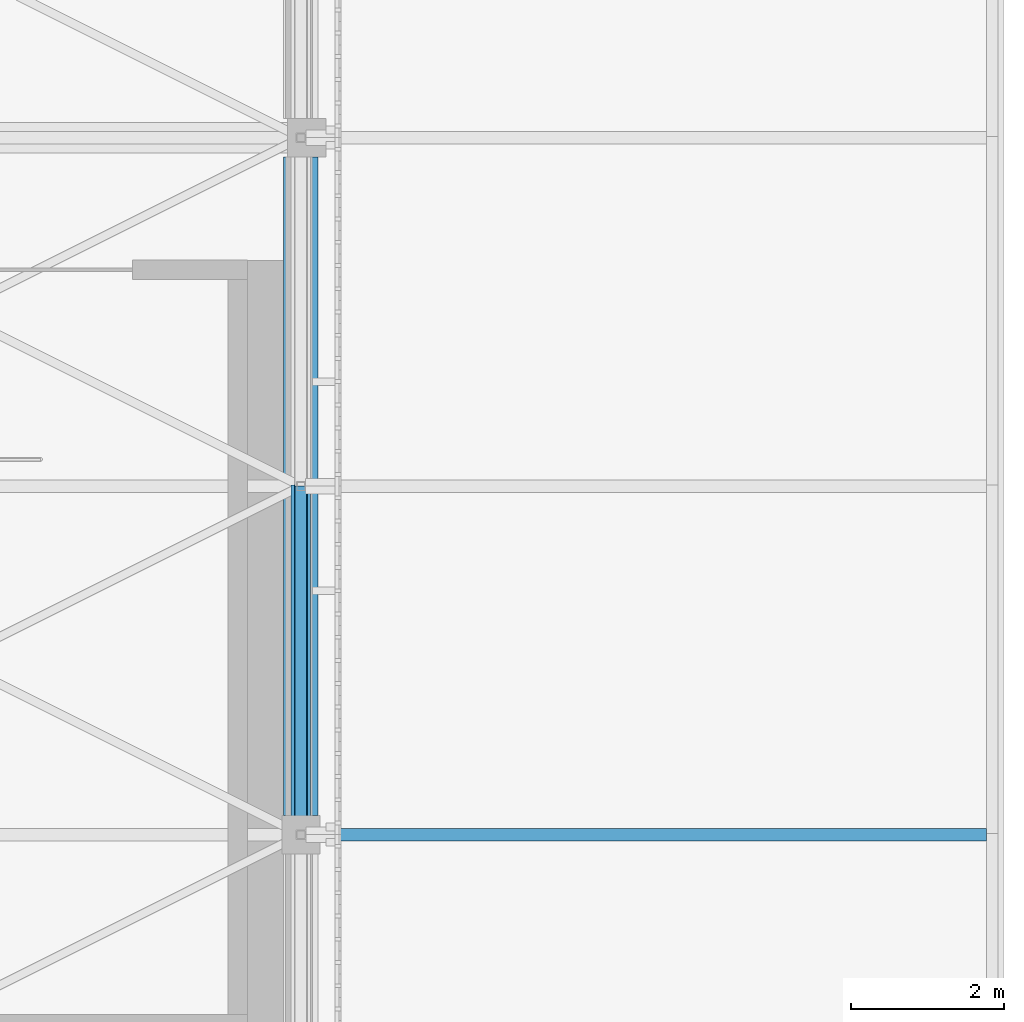
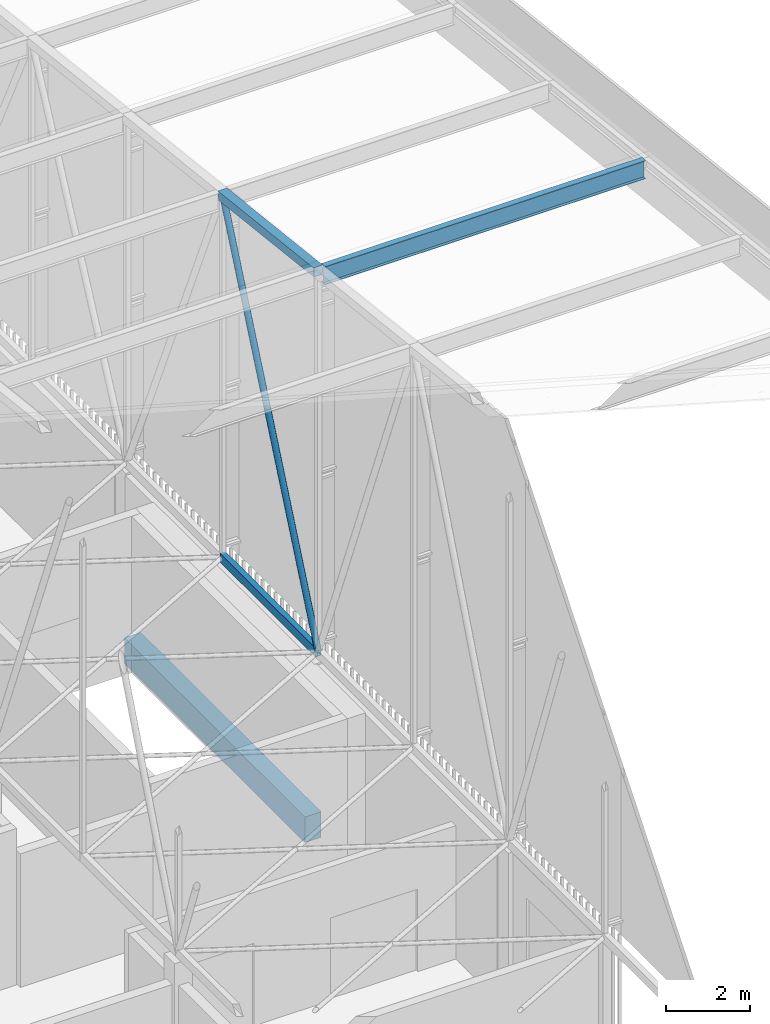
# One storey, part 390 of 500: 4 members, 1 beam.
"""IFC4 building model written with IfcOpenShell, lengths in metres."""

from ifc_helpers import new_model, si_unit, direction, frame, origin, origin_2d, place, context, subcontext, project, spatial, rectangle, hollow_rectangle, hollow_circle, i_section, extrude, material, material_profile, profile_set, type_object, element, save


model = new_model("IFC4")

# Units and contexts
model_context = context("Model", 3, precision=1e-05, world=origin(), true_north=direction((0.0, 1.0)))
body_context = subcontext(model_context, "Body", "Model", "MODEL_VIEW")
ifc_project = project(units=[si_unit("LENGTHUNIT", "METRE"), si_unit("AREAUNIT", "SQUARE_METRE"), si_unit("VOLUMEUNIT", "CUBIC_METRE"), si_unit("PLANEANGLEUNIT", "RADIAN"), si_unit("MASSUNIT", "GRAM", prefix="KILO")], contexts=[model_context])

# Site, building, storey
site_placement = place(None, origin())
site = spatial("IfcSite", under=ifc_project, at=site_placement, CompositionType="ELEMENT")
building_placement = place(site_placement, origin())
building = spatial("IfcBuilding", under=site, at=building_placement, Name="Shirokan Park Arena", CompositionType="ELEMENT")
storey_placement = place(building_placement, frame((0.0, 0.0, 29.1201171875)))
storey = spatial("IfcBuildingStorey", under=building, at=storey_placement, Name="L06", CompositionType="ELEMENT", Elevation=29.1201171875)

# Members
ifc_material_1 = material(Name="Steel ASTM A500 Grade C", Category="steel")
ifc_material_profile_1 = material_profile(ifc_material_1, hollow_rectangle(XDim=0.152099609375, YDim=0.25390625, WallThickness=0.009521484375, at=origin_2d()), Name="HSS254X152.4X9.5")
ifc_profile_set_1 = profile_set([ifc_material_profile_1], Name="Steel ASTM A500 Grade C")
member_type_1 = type_object("IfcMemberType", Name="Bottom chord HSS254X152.4X9.5", PredefinedType="CHORD", material=ifc_profile_set_1)
member_1_placement = place(storey_placement, frame((145.60009765625, 81.89990234375, 4.677001953125), z_axis=(0.0, 1.0, 0.0), x_axis=(-1.0, 0.0, 0.0)))
element("IfcMember", 1, at=member_1_placement, inside=storey, type_object=member_type_1, Name="Truss T17 bottom chord 21", PredefinedType="CHORD", context=body_context, shape_type="SweptSolid", body=[
    extrude(hollow_rectangle(XDim=0.152099609375, YDim=0.25390625, WallThickness=0.009521484375, at=origin_2d()), origin(), (0.0, 0.0, 1.0), 4.550048828125),
])
ifc_material_2 = material(Name="Steel ASTM A992", Category="steel")
ifc_material_profile_2 = material_profile(ifc_material_2, i_section(OverallWidth=0.166015625, OverallDepth=0.528076171875, WebThickness=0.009765625, FlangeThickness=0.013671875, at=origin_2d()), Name="W530X74")
ifc_profile_set_2 = profile_set([ifc_material_profile_2], Name="Steel ASTM A992")
member_type_2 = type_object("IfcMemberType", Name="Purlin W530X74", PredefinedType="PURLIN", material=ifc_profile_set_2)
member_2_placement = place(storey_placement, frame((145.72705078125, 81.89990234375, 15.60595703125), z_axis=(1.0, 0.0, 0.0), x_axis=(0.0, 1.0, 0.0)))
element("IfcMember", 2, at=member_2_placement, inside=storey, type_object=member_type_2, Name="Eave purlin east 21", PredefinedType="PURLIN", context=body_context, shape_type="SweptSolid", body=[
    extrude(i_section(OverallWidth=0.166015625, OverallDepth=0.528076171875, WebThickness=0.009765625, FlangeThickness=0.013671875, at=origin_2d()), origin(), (0.0, 0.0, 1.0), 8.824951171875),
])

# Beam
ifc_material_3 = material(Name="Concrete C35", Category="concrete")
ifc_material_profile_3 = material_profile(ifc_material_3, rectangle(XDim=0.449951171875, YDim=0.75, at=origin_2d()), Name="450x750")
ifc_profile_set_3 = profile_set([ifc_material_profile_3], Name="Concrete C35")
beam_type = type_object("IfcBeamType", Name="RC girder 450x750", PredefinedType="BEAM", material=ifc_profile_set_3)
beam_placement = place(storey_placement, frame((145.60009765625, 82.150146484375, -0.5751953125), z_axis=(0.0, 1.0, 0.0), x_axis=(-1.0, 0.0, 0.0)))
element("IfcBeam", 3, at=beam_placement, inside=storey, type_object=beam_type, Name="Girder 17K-17L L06", PredefinedType="BEAM", context=body_context, shape_type="SweptSolid", body=[
    extrude(rectangle(XDim=0.449951171875, YDim=0.75, at=origin_2d()), origin(), (0.0, 0.0, 1.0), 8.599853515625),
])

# Members
ifc_material_profile_4 = material_profile(ifc_material_1, hollow_rectangle(XDim=0.25390625, YDim=0.25390625, WallThickness=0.009521484375, at=origin_2d()), Name="HSS254X254X9.5")
ifc_profile_set_4 = profile_set([ifc_material_profile_4], Name="Steel ASTM A500 Grade C")
member_type_3 = type_object("IfcMemberType", Name="Top chord HSS254X254X9.5", PredefinedType="CHORD", material=ifc_profile_set_4)
member_3_placement = place(storey_placement, frame((145.60009765625, 81.89990234375, 15.742919921875), z_axis=(0.0, 0.993532328996, -0.113549598152), x_axis=(-1.0, 0.0, 0.0)))
element("IfcMember", 4, at=member_3_placement, inside=storey, type_object=member_type_3, Name="Truss T17 top chord 21", PredefinedType="CHORD", context=body_context, shape_type="SweptSolid", body=[
    extrude(hollow_rectangle(XDim=0.25390625, YDim=0.25390625, WallThickness=0.009521484375, at=origin_2d()), origin(), (0.0, 0.0, 1.0), 4.57958984375),
])
ifc_material_profile_5 = material_profile(ifc_material_1, hollow_circle(Radius=0.083984375, WallThickness=0.009521484375, at=origin_2d()), Name="HSS168.3X9.5")
ifc_profile_set_5 = profile_set([ifc_material_profile_5], Name="Steel ASTM A500 Grade C")
member_type_4 = type_object("IfcMemberType", Name="Truss diagonal HSS168.3X9.5", PredefinedType="BRACE", material=ifc_profile_set_5)
member_4_placement = place(storey_placement, frame((145.60009765625, 81.89990234375, 4.677001953125), z_axis=(0.0, 0.396152605513, 0.918184683572), x_axis=(-1.0, 0.0, 0.0)))
element("IfcMember", 5, at=member_4_placement, inside=storey, type_object=member_type_4, Name="Truss T17 diagonal 21", PredefinedType="BRACE", context=body_context, shape_type="SweptSolid", body=[
    extrude(hollow_circle(Radius=0.083984375, WallThickness=0.009521484375, at=origin_2d()), origin(), (0.0, 0.0, 1.0), 11.485595703125),
])

save(model, "model.ifc")
